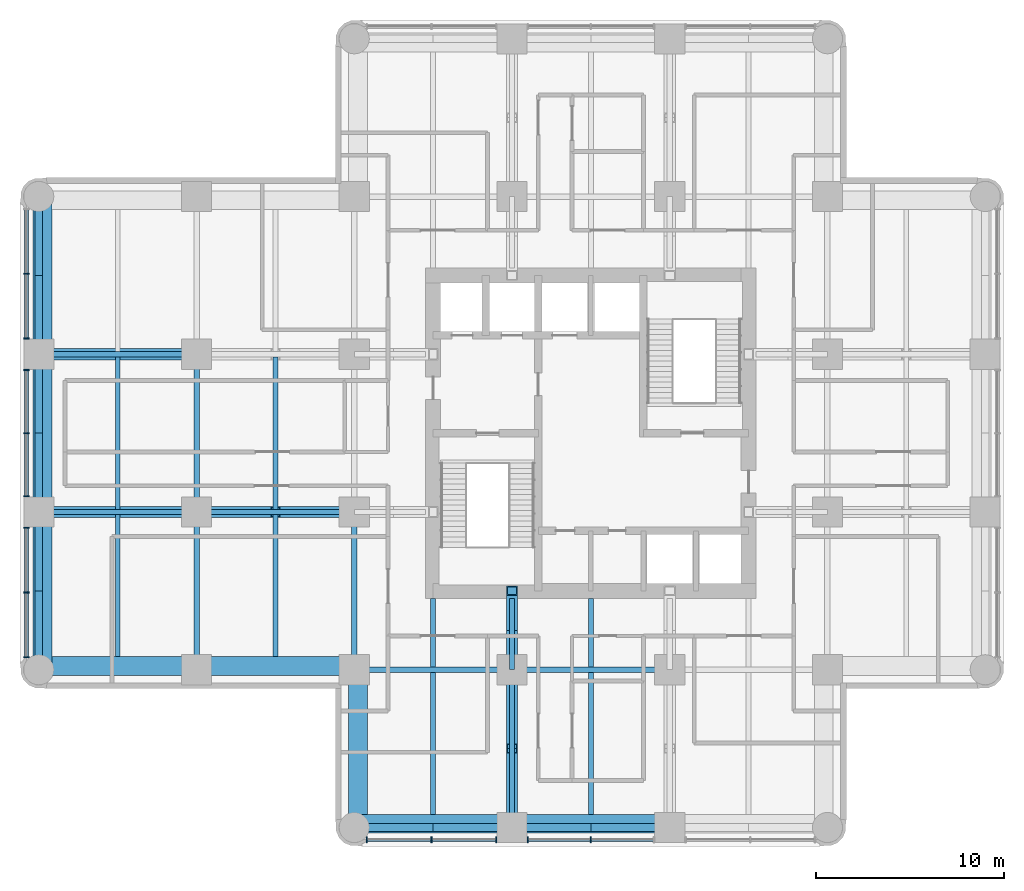
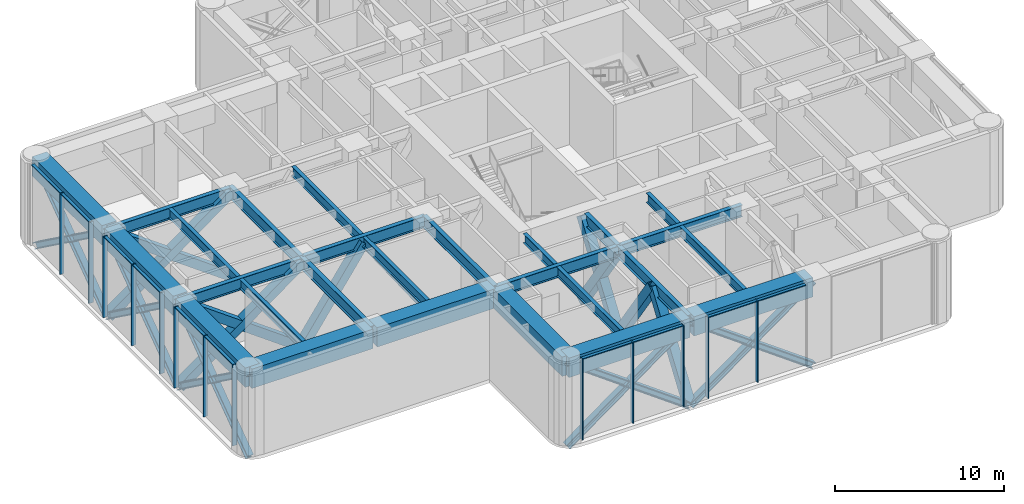
# One storey, part 2 of 12: 43 members, 26 beams, 2 elements without a shape of their own.
"""IFC4 building model written with IfcOpenShell, lengths in metres."""

from ifc_helpers import new_model, si_unit, direction, frame, origin, origin_2d, place, context, subcontext, project, spatial, rectangle, hollow_rectangle, i_section, extrude, material, material_profile, profile_set, type_object, element, aggregate, save


model = new_model("IFC4")

# Units and contexts
model_context = context("Model", 3, precision=1e-05, world=origin(), true_north=direction((0.0, 1.0)))
body_context = subcontext(model_context, "Body", "Model", "MODEL_VIEW")
ifc_project = project(units=[si_unit("LENGTHUNIT", "METRE"), si_unit("AREAUNIT", "SQUARE_METRE"), si_unit("VOLUMEUNIT", "CUBIC_METRE"), si_unit("PLANEANGLEUNIT", "RADIAN"), si_unit("MASSUNIT", "GRAM", prefix="KILO")], contexts=[model_context])

# Site, building, storey
site_placement = place(None, origin())
site = spatial("IfcSite", under=ifc_project, at=site_placement, CompositionType="ELEMENT")
building_placement = place(site_placement, origin())
building = spatial("IfcBuilding", under=site, at=building_placement, Name="Torre Alcanfor", CompositionType="ELEMENT")
storey_placement = place(building_placement, frame((0.0, 0.0, 248.10009765625)))
storey = spatial("IfcBuildingStorey", under=building, at=storey_placement, Name="L65", CompositionType="ELEMENT", Elevation=248.10009765625)

# Members
ifc_material_1 = material(Name="Steel ASTM A992 Grade 50", Category="steel")
ifc_material_profile_1 = material_profile(ifc_material_1, i_section(OverallWidth=0.411376953125, OverallDepth=0.434326171875, WebThickness=0.035888671875, FlangeThickness=0.057373046875, at=origin_2d()), Name="W14x311")
ifc_profile_set_1 = profile_set([ifc_material_profile_1], Name="Steel ASTM A992 Grade 50")
member_type_1 = type_object("IfcMemberType", Name="Belt truss diagonal W14x311", PredefinedType="BRACE", material=ifc_profile_set_1)
for number, where, z_axis, x_axis, name in (
    (1, (16.800048828125, 8.39990234375, -0.650146484375), (0.809144712888, 0.0, 0.587609422665), (0.0, 1.0, 0.0), "Belt truss L65 S arm panel 1 diagonal A"),
    (2, (25.199951171875, 8.39990234375, -0.650146484375), (-0.809144712888, 0.0, 0.587609422665), (0.0, -1.0, 0.0), "Belt truss L65 S arm panel 1 diagonal B"),
):
    element("IfcMember", number, at=place(storey_placement, frame(where, z_axis=z_axis, x_axis=x_axis)), inside=storey, type_object=member_type_1, Name=name, PredefinedType="BRACE", context=body_context, shape_type="SweptSolid", body=[
        extrude(i_section(OverallWidth=0.411376953125, OverallDepth=0.434326171875, WebThickness=0.035888671875, FlangeThickness=0.057373046875, at=origin_2d()), origin(), (0.0, 0.0, 1.0), 10.381103515625),
    ])
for number, where, z_axis, x_axis, name in (
    (3, (25.199951171875, 8.39990234375, -0.650146484375), (0.809152832909, 0.0, 0.587598241144), (0.0, 1.0, 0.0), "Belt truss L65 S arm panel 2 diagonal A"),
    (4, (33.60009765625, 8.39990234375, -0.650146484375), (-0.809152832909, 0.0, 0.587598241144), (0.0, -1.0, 0.0), "Belt truss L65 S arm panel 2 diagonal B"),
):
    element("IfcMember", number, at=place(storey_placement, frame(where, z_axis=z_axis, x_axis=x_axis)), inside=storey, type_object=member_type_1, Name=name, PredefinedType="BRACE", context=body_context, shape_type="SweptSolid", body=[
        extrude(i_section(OverallWidth=0.411376953125, OverallDepth=0.434326171875, WebThickness=0.035888671875, FlangeThickness=0.057373046875, at=origin_2d()), origin(), (0.0, 0.0, 1.0), 10.38134765625),
    ])
for number, where, z_axis, x_axis, name in (
    (5, (0.0, 16.800048828125, -0.650146484375), (0.0, 0.809144712888, 0.587609422665), (-1.0, 0.0, 0.0), "Belt truss L65 W arm panel 1 diagonal A"),
    (6, (0.0, 25.199951171875, -0.650146484375), (0.0, -0.809144712888, 0.587609422665), (1.0, 0.0, 0.0), "Belt truss L65 W arm panel 1 diagonal B"),
):
    element("IfcMember", number, at=place(storey_placement, frame(where, z_axis=z_axis, x_axis=x_axis)), inside=storey, type_object=member_type_1, Name=name, PredefinedType="BRACE", context=body_context, shape_type="SweptSolid", body=[
        extrude(i_section(OverallWidth=0.411376953125, OverallDepth=0.434326171875, WebThickness=0.035888671875, FlangeThickness=0.057373046875, at=origin_2d()), origin(), (0.0, 0.0, 1.0), 10.381103515625),
    ])
for number, where, z_axis, x_axis, name in (
    (7, (0.0, 25.199951171875, -0.650146484375), (0.0, 0.809152832909, 0.587598241144), (-1.0, 0.0, 0.0), "Belt truss L65 W arm panel 2 diagonal A"),
    (8, (0.0, 33.60009765625, -0.650146484375), (0.0, -0.809152832909, 0.587598241144), (1.0, 0.0, 0.0), "Belt truss L65 W arm panel 2 diagonal B"),
):
    element("IfcMember", number, at=place(storey_placement, frame(where, z_axis=z_axis, x_axis=x_axis)), inside=storey, type_object=member_type_1, Name=name, PredefinedType="BRACE", context=body_context, shape_type="SweptSolid", body=[
        extrude(i_section(OverallWidth=0.411376953125, OverallDepth=0.434326171875, WebThickness=0.035888671875, FlangeThickness=0.057373046875, at=origin_2d()), origin(), (0.0, 0.0, 1.0), 10.38134765625),
    ])
for number, where, z_axis, x_axis, name in (
    (9, (0.0, 33.60009765625, -0.650146484375), (0.0, 0.809144712888, 0.587609422665), (-1.0, 0.0, 0.0), "Belt truss L65 W arm panel 3 diagonal A"),
    (10, (0.0, 42.0, -0.650146484375), (0.0, -0.809144712888, 0.587609422665), (1.0, 0.0, 0.0), "Belt truss L65 W arm panel 3 diagonal B"),
):
    element("IfcMember", number, at=place(storey_placement, frame(where, z_axis=z_axis, x_axis=x_axis)), inside=storey, type_object=member_type_1, Name=name, PredefinedType="BRACE", context=body_context, shape_type="SweptSolid", body=[
        extrude(i_section(OverallWidth=0.411376953125, OverallDepth=0.434326171875, WebThickness=0.035888671875, FlangeThickness=0.057373046875, at=origin_2d()), origin(), (0.0, 0.0, 1.0), 10.381103515625),
    ])

# Curtain wall, members
ifc_material_2 = material(Name="Aluminium and glass", Category="aluminium")
curtain_wall_type = type_object("IfcCurtainWallType", Name="CW-D plant floor louvre screen", PredefinedType="NOTDEFINED", material=ifc_material_2)
curtain_wall_1_placement = place(storey_placement, origin())
curtain_wall_1 = element("IfcCurtainWall", 11, at=curtain_wall_1_placement, inside=storey, type_object=curtain_wall_type, Name="Curtain wall CW-D L65 2", PredefinedType="NOTDEFINED")
ifc_material_3 = material(Name="Extruded aluminium", Category="aluminium")
ifc_material_profile_2 = material_profile(ifc_material_3, rectangle(XDim=0.300048828125, YDim=0.06494140625, at=origin_2d()), Name="CW-D mullion 65x300")
ifc_profile_set_2 = profile_set([ifc_material_profile_2], Name="Extruded aluminium")
member_type_2 = type_object("IfcMemberType", Name="CW-D mullion 65x300", PredefinedType="MULLION", material=ifc_profile_set_2)
member_1_placement = place(storey_placement, frame((-0.64990234375, 37.88720703125, 0.0), z_axis=(0.0, 0.0, 1.0), x_axis=(1.0, 0.0, 0.0)))
member_1 = element("IfcMember", 12, at=member_1_placement, type_object=member_type_2, Name="CW-D mullion 1.2", PredefinedType="MULLION", context=body_context, shape_type="SweptSolid", body=[
    extrude(rectangle(XDim=0.300048828125, YDim=0.06494140625, at=origin_2d()), origin(), (0.0, 0.0, 1.0), 5.849853515625),
])
member_2_placement = place(storey_placement, frame((-0.64990234375, 34.4375, 0.0), z_axis=(0.0, 0.0, 1.0), x_axis=(1.0, 0.0, 0.0)))
member_2 = element("IfcMember", 13, at=member_2_placement, type_object=member_type_2, Name="CW-D mullion 1.3", PredefinedType="MULLION", context=body_context, shape_type="SweptSolid", body=[
    extrude(rectangle(XDim=0.300048828125, YDim=0.06494140625, at=origin_2d()), origin(), (0.0, 0.0, 1.0), 5.849853515625),
])
member_3_placement = place(storey_placement, frame((-0.64990234375, 32.762451171875, 0.0), z_axis=(0.0, 0.0, 1.0), x_axis=(1.0, 0.0, 0.0)))
member_3 = element("IfcMember", 14, at=member_3_placement, type_object=member_type_2, Name="CW-D mullion 2.1", PredefinedType="MULLION", context=body_context, shape_type="SweptSolid", body=[
    extrude(rectangle(XDim=0.300048828125, YDim=0.06494140625, at=origin_2d()), origin(), (0.0, 0.0, 1.0), 5.849853515625),
])
member_4_placement = place(storey_placement, frame((-0.64990234375, 29.39990234375, 0.0), z_axis=(0.0, 0.0, 1.0), x_axis=(1.0, 0.0, 0.0)))
member_4 = element("IfcMember", 15, at=member_4_placement, type_object=member_type_2, Name="CW-D mullion 2.2", PredefinedType="MULLION", context=body_context, shape_type="SweptSolid", body=[
    extrude(rectangle(XDim=0.300048828125, YDim=0.06494140625, at=origin_2d()), origin(), (0.0, 0.0, 1.0), 5.849853515625),
])
member_5_placement = place(storey_placement, frame((-0.64990234375, 26.03759765625, 0.0), z_axis=(0.0, 0.0, 1.0), x_axis=(1.0, 0.0, 0.0)))
member_5 = element("IfcMember", 16, at=member_5_placement, type_object=member_type_2, Name="CW-D mullion 2.3", PredefinedType="MULLION", context=body_context, shape_type="SweptSolid", body=[
    extrude(rectangle(XDim=0.300048828125, YDim=0.06494140625, at=origin_2d()), origin(), (0.0, 0.0, 1.0), 5.849853515625),
])
member_6_placement = place(storey_placement, frame((-0.64990234375, 24.362548828125, 0.0), z_axis=(0.0, 0.0, 1.0), x_axis=(1.0, 0.0, 0.0)))
member_6 = element("IfcMember", 17, at=member_6_placement, type_object=member_type_2, Name="CW-D mullion 3.1", PredefinedType="MULLION", context=body_context, shape_type="SweptSolid", body=[
    extrude(rectangle(XDim=0.300048828125, YDim=0.06494140625, at=origin_2d()), origin(), (0.0, 0.0, 1.0), 5.849853515625),
])
member_7_placement = place(storey_placement, frame((-0.64990234375, 20.912841796875, 0.0), z_axis=(0.0, 0.0, 1.0), x_axis=(1.0, 0.0, 0.0)))
member_7 = element("IfcMember", 18, at=member_7_placement, type_object=member_type_2, Name="CW-D mullion 3.2", PredefinedType="MULLION", context=body_context, shape_type="SweptSolid", body=[
    extrude(rectangle(XDim=0.300048828125, YDim=0.06494140625, at=origin_2d()), origin(), (0.0, 0.0, 1.0), 5.849853515625),
])
member_8_placement = place(storey_placement, frame((-0.64990234375, 17.46337890625, 0.0), z_axis=(0.0, 0.0, 1.0), x_axis=(1.0, 0.0, 0.0)))
member_8 = element("IfcMember", 19, at=member_8_placement, type_object=member_type_2, Name="CW-D mullion 3.3", PredefinedType="MULLION", context=body_context, shape_type="SweptSolid", body=[
    extrude(rectangle(XDim=0.300048828125, YDim=0.06494140625, at=origin_2d()), origin(), (0.0, 0.0, 1.0), 5.849853515625),
])

curtain_wall_2_placement = place(storey_placement, origin())
curtain_wall_2 = element("IfcCurtainWall", 20, at=curtain_wall_2_placement, inside=storey, type_object=curtain_wall_type, Name="Curtain wall CW-D L65 5", PredefinedType="NOTDEFINED")
member_9_placement = place(storey_placement, frame((17.46337890625, 7.75, 0.0), z_axis=(0.0, 0.0, 1.0), x_axis=(0.0, 1.0, 0.0)))
member_9 = element("IfcMember", 21, at=member_9_placement, type_object=member_type_2, Name="CW-D mullion 1.1", PredefinedType="MULLION", context=body_context, shape_type="SweptSolid", body=[
    extrude(rectangle(XDim=0.300048828125, YDim=0.06494140625, at=origin_2d()), origin(), (0.0, 0.0, 1.0), 5.849853515625),
])
member_10_placement = place(storey_placement, frame((20.912841796875, 7.75, 0.0), z_axis=(0.0, 0.0, 1.0), x_axis=(0.0, 1.0, 0.0)))
member_10 = element("IfcMember", 22, at=member_10_placement, type_object=member_type_2, Name="CW-D mullion 1.2", PredefinedType="MULLION", context=body_context, shape_type="SweptSolid", body=[
    extrude(rectangle(XDim=0.300048828125, YDim=0.06494140625, at=origin_2d()), origin(), (0.0, 0.0, 1.0), 5.849853515625),
])
member_11_placement = place(storey_placement, frame((24.362548828125, 7.75, 0.0), z_axis=(0.0, 0.0, 1.0), x_axis=(0.0, 1.0, 0.0)))
member_11 = element("IfcMember", 23, at=member_11_placement, type_object=member_type_2, Name="CW-D mullion 1.3", PredefinedType="MULLION", context=body_context, shape_type="SweptSolid", body=[
    extrude(rectangle(XDim=0.300048828125, YDim=0.06494140625, at=origin_2d()), origin(), (0.0, 0.0, 1.0), 5.849853515625),
])
member_12_placement = place(storey_placement, frame((26.03759765625, 7.75, 0.0), z_axis=(0.0, 0.0, 1.0), x_axis=(0.0, 1.0, 0.0)))
member_12 = element("IfcMember", 24, at=member_12_placement, type_object=member_type_2, Name="CW-D mullion 2.1", PredefinedType="MULLION", context=body_context, shape_type="SweptSolid", body=[
    extrude(rectangle(XDim=0.300048828125, YDim=0.06494140625, at=origin_2d()), origin(), (0.0, 0.0, 1.0), 5.849853515625),
])
member_13_placement = place(storey_placement, frame((29.39990234375, 7.75, 0.0), z_axis=(0.0, 0.0, 1.0), x_axis=(0.0, 1.0, 0.0)))
member_13 = element("IfcMember", 25, at=member_13_placement, type_object=member_type_2, Name="CW-D mullion 2.2", PredefinedType="MULLION", context=body_context, shape_type="SweptSolid", body=[
    extrude(rectangle(XDim=0.300048828125, YDim=0.06494140625, at=origin_2d()), origin(), (0.0, 0.0, 1.0), 5.849853515625),
])

# Member
ifc_material_4 = material(Name="Extruded aluminium", Category="aluminium")
ifc_material_profile_3 = material_profile(ifc_material_4, rectangle(XDim=0.199951171875, YDim=0.06494140625, at=origin_2d()), Name="CW-D transom 200x65")
ifc_profile_set_3 = profile_set([ifc_material_profile_3], Name="Extruded aluminium")
member_type_3 = type_object("IfcMemberType", Name="CW-D transom 65x200", PredefinedType="USERDEFINED", material=ifc_profile_set_3)
member_14_placement = place(storey_placement, frame((-0.64990234375, 41.30419921875, 5.8173828125), z_axis=(0.0, -1.0, 0.0), x_axis=(1.0, 0.0, 0.0)))
member_14 = element("IfcMember", 26, at=member_14_placement, type_object=member_type_3, Name="CW-D transom 1.1.2", ObjectType="TRANSOM", PredefinedType="USERDEFINED", context=body_context, shape_type="SweptSolid", body=[
    extrude(rectangle(XDim=0.199951171875, YDim=0.06494140625, at=origin_2d()), origin(), (0.0, 0.0, 1.0), 3.384521484375),
])

member_15_placement = place(storey_placement, frame((-0.64990234375, 37.8544921875, 5.8173828125), z_axis=(0.0, -1.0, 0.0), x_axis=(1.0, 0.0, 0.0)))
member_15 = element("IfcMember", 27, at=member_15_placement, type_object=member_type_3, Name="CW-D transom 1.2.2", ObjectType="TRANSOM", PredefinedType="USERDEFINED", context=body_context, shape_type="SweptSolid", body=[
    extrude(rectangle(XDim=0.199951171875, YDim=0.06494140625, at=origin_2d()), origin(), (0.0, 0.0, 1.0), 3.384521484375),
])

member_16_placement = place(storey_placement, frame((-0.64990234375, 32.72998046875, 5.8173828125), z_axis=(0.0, -1.0, 0.0), x_axis=(1.0, 0.0, 0.0)))
member_16 = element("IfcMember", 28, at=member_16_placement, type_object=member_type_3, Name="CW-D transom 2.1.2", ObjectType="TRANSOM", PredefinedType="USERDEFINED", context=body_context, shape_type="SweptSolid", body=[
    extrude(rectangle(XDim=0.199951171875, YDim=0.06494140625, at=origin_2d()), origin(), (0.0, 0.0, 1.0), 3.29736328125),
])

member_17_placement = place(storey_placement, frame((-0.64990234375, 29.367431640625, 5.8173828125), z_axis=(0.0, -1.0, 0.0), x_axis=(1.0, 0.0, 0.0)))
member_17 = element("IfcMember", 29, at=member_17_placement, type_object=member_type_3, Name="CW-D transom 2.2.2", ObjectType="TRANSOM", PredefinedType="USERDEFINED", context=body_context, shape_type="SweptSolid", body=[
    extrude(rectangle(XDim=0.199951171875, YDim=0.06494140625, at=origin_2d()), origin(), (0.0, 0.0, 1.0), 3.29736328125),
])

member_18_placement = place(storey_placement, frame((-0.64990234375, 24.330078125, 5.8173828125), z_axis=(0.0, -1.0, 0.0), x_axis=(1.0, 0.0, 0.0)))
member_18 = element("IfcMember", 30, at=member_18_placement, type_object=member_type_3, Name="CW-D transom 3.1.2", ObjectType="TRANSOM", PredefinedType="USERDEFINED", context=body_context, shape_type="SweptSolid", body=[
    extrude(rectangle(XDim=0.199951171875, YDim=0.06494140625, at=origin_2d()), origin(), (0.0, 0.0, 1.0), 3.384765625),
])

member_19_placement = place(storey_placement, frame((-0.64990234375, 20.88037109375, 5.8173828125), z_axis=(0.0, -1.0, 0.0), x_axis=(1.0, 0.0, 0.0)))
member_19 = element("IfcMember", 31, at=member_19_placement, type_object=member_type_3, Name="CW-D transom 3.2.2", ObjectType="TRANSOM", PredefinedType="USERDEFINED", context=body_context, shape_type="SweptSolid", body=[
    extrude(rectangle(XDim=0.199951171875, YDim=0.06494140625, at=origin_2d()), origin(), (0.0, 0.0, 1.0), 3.384521484375),
])

aggregate(curtain_wall_1, [member_1, member_2, member_14, member_15, member_3, member_4, member_5, member_16, member_17, member_6, member_7, member_8, member_18, member_19])

member_20_placement = place(storey_placement, frame((17.495849609375, 7.75, 5.8173828125), z_axis=(1.0, 0.0, 0.0), x_axis=(0.0, 1.0, 0.0)))
member_20 = element("IfcMember", 32, at=member_20_placement, type_object=member_type_3, Name="CW-D transom 1.1.2", ObjectType="TRANSOM", PredefinedType="USERDEFINED", context=body_context, shape_type="SweptSolid", body=[
    extrude(rectangle(XDim=0.199951171875, YDim=0.06494140625, at=origin_2d()), origin(), (0.0, 0.0, 1.0), 3.384521484375),
])

member_21_placement = place(storey_placement, frame((20.9453125, 7.75, 5.8173828125), z_axis=(1.0, 0.0, 0.0), x_axis=(0.0, 1.0, 0.0)))
member_21 = element("IfcMember", 33, at=member_21_placement, type_object=member_type_3, Name="CW-D transom 1.2.2", ObjectType="TRANSOM", PredefinedType="USERDEFINED", context=body_context, shape_type="SweptSolid", body=[
    extrude(rectangle(XDim=0.199951171875, YDim=0.06494140625, at=origin_2d()), origin(), (0.0, 0.0, 1.0), 3.384765625),
])

member_22_placement = place(storey_placement, frame((26.070068359375, 7.75, 5.8173828125), z_axis=(1.0, 0.0, 0.0), x_axis=(0.0, 1.0, 0.0)))
member_22 = element("IfcMember", 34, at=member_22_placement, type_object=member_type_3, Name="CW-D transom 2.1.2", ObjectType="TRANSOM", PredefinedType="USERDEFINED", context=body_context, shape_type="SweptSolid", body=[
    extrude(rectangle(XDim=0.199951171875, YDim=0.06494140625, at=origin_2d()), origin(), (0.0, 0.0, 1.0), 3.29736328125),
])

member_23_placement = place(storey_placement, frame((29.4326171875, 7.75, 5.8173828125), z_axis=(1.0, 0.0, 0.0), x_axis=(0.0, 1.0, 0.0)))
member_23 = element("IfcMember", 35, at=member_23_placement, type_object=member_type_3, Name="CW-D transom 2.2.2", ObjectType="TRANSOM", PredefinedType="USERDEFINED", context=body_context, shape_type="SweptSolid", body=[
    extrude(rectangle(XDim=0.199951171875, YDim=0.06494140625, at=origin_2d()), origin(), (0.0, 0.0, 1.0), 3.29736328125),
])

aggregate(curtain_wall_2, [member_9, member_10, member_11, member_20, member_21, member_12, member_13, member_22, member_23])

# Beams
ifc_material_5 = material(Name="Steel ASTM A992 Grade 50", Category="steel")
ifc_material_profile_4 = material_profile(ifc_material_5, i_section(OverallWidth=0.2919921875, OverallDepth=0.8408203125, WebThickness=0.0146484375, FlangeThickness=0.021728515625, at=origin_2d()), Name="W33x130")
ifc_profile_set_4 = profile_set([ifc_material_profile_4], Name="Steel ASTM A992 Grade 50")
beam_type_1 = type_object("IfcBeamType", Name="Girder W33x130", PredefinedType="BEAM", material=ifc_profile_set_4)
beam_1_placement = place(storey_placement, frame((16.800048828125, 16.800048828125, 5.429443359375), z_axis=(1.0, 0.0, 0.0), x_axis=(0.0, 1.0, 0.0)))
element("IfcBeam", 36, at=beam_1_placement, inside=storey, type_object=beam_type_1, Name="Beam 3E-4E under L66", PredefinedType="BEAM", context=body_context, shape_type="SweptSolid", body=[
    extrude(i_section(OverallWidth=0.2919921875, OverallDepth=0.8408203125, WebThickness=0.0146484375, FlangeThickness=0.021728515625, at=origin_2d()), origin(), (0.0, 0.0, 1.0), 8.39990234375),
])
beam_2_placement = place(storey_placement, frame((25.199951171875, 16.800048828125, 5.429443359375), z_axis=(1.0, 0.0, 0.0), x_axis=(0.0, 1.0, 0.0)))
element("IfcBeam", 37, at=beam_2_placement, inside=storey, type_object=beam_type_1, Name="Beam 4E-5E under L66", PredefinedType="BEAM", context=body_context, shape_type="SweptSolid", body=[
    extrude(i_section(OverallWidth=0.2919921875, OverallDepth=0.8408203125, WebThickness=0.0146484375, FlangeThickness=0.021728515625, at=origin_2d()), origin(), (0.0, 0.0, 1.0), 8.400146484375),
])
beam_3_placement = place(storey_placement, frame((0.0, 25.199951171875, 5.32958984375), z_axis=(1.0, 0.0, 0.0), x_axis=(0.0, 1.0, 0.0)))
element("IfcBeam", 38, at=beam_3_placement, inside=storey, type_object=beam_type_1, Name="Beam 1F-2F under L66", PredefinedType="BEAM", context=body_context, shape_type="SweptSolid", body=[
    extrude(i_section(OverallWidth=0.2919921875, OverallDepth=0.8408203125, WebThickness=0.0146484375, FlangeThickness=0.021728515625, at=origin_2d()), origin(), (0.0, 0.0, 1.0), 8.39990234375),
])
beam_4_placement = place(storey_placement, frame((8.39990234375, 25.199951171875, 5.429443359375), z_axis=(1.0, 0.0, 0.0), x_axis=(0.0, 1.0, 0.0)))
element("IfcBeam", 39, at=beam_4_placement, inside=storey, type_object=beam_type_1, Name="Beam 2F-3F under L66", PredefinedType="BEAM", context=body_context, shape_type="SweptSolid", body=[
    extrude(i_section(OverallWidth=0.2919921875, OverallDepth=0.8408203125, WebThickness=0.0146484375, FlangeThickness=0.021728515625, at=origin_2d()), origin(), (0.0, 0.0, 1.0), 8.400146484375),
])
for number, where, z_axis, x_axis, name in (
    (40, (0.0, 33.60009765625, 5.32958984375), (1.0, 0.0, 0.0), (0.0, 1.0, 0.0), "Beam 1G-2G under L66"),
    (41, (8.39990234375, 16.800048828125, 5.429443359375), (0.0, 1.0, 0.0), (-1.0, 0.0, 0.0), "Beam 2E-2F under L66"),
):
    element("IfcBeam", number, at=place(storey_placement, frame(where, z_axis=z_axis, x_axis=x_axis)), inside=storey, type_object=beam_type_1, Name=name, PredefinedType="BEAM", context=body_context, shape_type="SweptSolid", body=[
        extrude(i_section(OverallWidth=0.2919921875, OverallDepth=0.8408203125, WebThickness=0.0146484375, FlangeThickness=0.021728515625, at=origin_2d()), origin(), (0.0, 0.0, 1.0), 8.39990234375),
    ])
beam_5_placement = place(storey_placement, frame((8.39990234375, 25.199951171875, 5.429443359375), z_axis=(0.0, 1.0, 0.0), x_axis=(-1.0, 0.0, 0.0)))
element("IfcBeam", 42, at=beam_5_placement, inside=storey, type_object=beam_type_1, Name="Beam 2F-2G under L66", PredefinedType="BEAM", context=body_context, shape_type="SweptSolid", body=[
    extrude(i_section(OverallWidth=0.2919921875, OverallDepth=0.8408203125, WebThickness=0.0146484375, FlangeThickness=0.021728515625, at=origin_2d()), origin(), (0.0, 0.0, 1.0), 8.400146484375),
])
beam_6_placement = place(storey_placement, frame((16.800048828125, 16.800048828125, 5.429443359375), z_axis=(0.0, 1.0, 0.0), x_axis=(-1.0, 0.0, 0.0)))
element("IfcBeam", 43, at=beam_6_placement, inside=storey, type_object=beam_type_1, Name="Beam 3E-3F under L66", PredefinedType="BEAM", context=body_context, shape_type="SweptSolid", body=[
    extrude(i_section(OverallWidth=0.2919921875, OverallDepth=0.8408203125, WebThickness=0.0146484375, FlangeThickness=0.021728515625, at=origin_2d()), origin(), (0.0, 0.0, 1.0), 8.39990234375),
])
beam_7_placement = place(storey_placement, frame((25.199951171875, 8.39990234375, 5.429443359375), z_axis=(0.0, 1.0, 0.0), x_axis=(-1.0, 0.0, 0.0)))
element("IfcBeam", 44, at=beam_7_placement, inside=storey, type_object=beam_type_1, Name="Beam 4D-4E under L66", PredefinedType="BEAM", context=body_context, shape_type="SweptSolid", body=[
    extrude(i_section(OverallWidth=0.2919921875, OverallDepth=0.8408203125, WebThickness=0.0146484375, FlangeThickness=0.021728515625, at=origin_2d()), origin(), (0.0, 0.0, 1.0), 8.400146484375),
])
ifc_material_6 = material(Name="Steel ASTM A992 Grade 50", Category="steel")
ifc_material_profile_5 = material_profile(ifc_material_6, i_section(OverallWidth=0.2919921875, OverallDepth=0.8408203125, WebThickness=0.0146484375, FlangeThickness=0.021728515625, at=origin_2d()), Name="W33x130")
ifc_profile_set_5 = profile_set([ifc_material_profile_5], Name="Steel ASTM A992 Grade 50")
beam_type_2 = type_object("IfcBeamType", Name="Girder, part bay W33x130", PredefinedType="BEAM", material=ifc_profile_set_5)
beam_8_placement = place(storey_placement, frame((25.199951171875, 16.800048828125, 5.429443359375), z_axis=(0.0, 1.0, 0.0), x_axis=(-1.0, 0.0, 0.0)))
element("IfcBeam", 45, at=beam_8_placement, inside=storey, type_object=beam_type_2, Name="Beam 4E-420_6 under L66", PredefinedType="BEAM", context=body_context, shape_type="SweptSolid", body=[
    extrude(i_section(OverallWidth=0.2919921875, OverallDepth=0.8408203125, WebThickness=0.0146484375, FlangeThickness=0.021728515625, at=origin_2d()), origin(), (0.0, 0.0, 1.0), 3.800048828125),
])

# Members
ifc_material_7 = material(Name="Steel ASTM A572 Grade 50 plate", Category="steel")
ifc_material_profile_6 = material_profile(ifc_material_7, hollow_rectangle(XDim=0.60009765625, YDim=0.60009765625, WallThickness=0.050048828125, at=origin_2d()), Name="BOX 600x600x50")
ifc_profile_set_6 = profile_set([ifc_material_profile_6], Name="Steel ASTM A572 Grade 50 plate")
member_type_4 = type_object("IfcMemberType", Name="Outrigger truss diagonal BOx600x600x50", PredefinedType="BRACE", material=ifc_profile_set_6)
for number, where, z_axis, x_axis, name in (
    (46, (25.199951171875, 21.0, -0.650146484375), (0.0, -0.567091101321, 0.823655075139), (1.0, 0.0, 0.0), "Outrigger truss L65 S arm grid 25.2 panel 1 diagonal A"),
    (47, (25.199951171875, 16.800048828125, -0.650146484375), (0.0, 0.567091101321, 0.823655075139), (-1.0, 0.0, 0.0), "Outrigger truss L65 S arm grid 25.2 panel 1 diagonal B"),
    (48, (25.199951171875, 16.800048828125, -0.650146484375), (0.0, -0.567091101321, 0.823655075139), (1.0, 0.0, 0.0), "Outrigger truss L65 S arm grid 25.2 panel 2 diagonal A"),
    (49, (25.199951171875, 8.39990234375, -0.650146484375), (0.0, 0.567113464175, 0.823639677742), (-1.0, 0.0, 0.0), "Outrigger truss L65 S arm grid 25.2 panel 2 diagonal B"),
    (50, (16.800048828125, 25.199951171875, -0.650146484375), (-0.567091101321, 0.0, 0.823655075139), (0.0, -1.0, 0.0), "Outrigger truss L65 W arm grid 25.2 panel 2 diagonal A"),
    (51, (8.39990234375, 25.199951171875, -0.650146484375), (0.567113464175, 0.0, 0.823639677742), (0.0, 1.0, 0.0), "Outrigger truss L65 W arm grid 25.2 panel 2 diagonal B"),
):
    element("IfcMember", number, at=place(storey_placement, frame(where, z_axis=z_axis, x_axis=x_axis)), inside=storey, type_object=member_type_4, Name=name, PredefinedType="BRACE", context=body_context, shape_type="SweptSolid", body=[
        extrude(hollow_rectangle(XDim=0.60009765625, YDim=0.60009765625, WallThickness=0.050048828125, at=origin_2d()), origin(), (0.0, 0.0, 1.0), 7.40625),
    ])
for number, where, z_axis, x_axis, name in (
    (52, (8.39990234375, 25.199951171875, -0.650146484375), (-0.809144712888, 0.0, 0.587609422665), (0.0, -1.0, 0.0), "Outrigger truss L65 W arm grid 25.2 panel 3 diagonal A"),
    (53, (0.0, 25.199951171875, -0.650146484375), (0.809144712888, 0.0, 0.587609422665), (0.0, 1.0, 0.0), "Outrigger truss L65 W arm grid 25.2 panel 3 diagonal B"),
    (54, (8.39990234375, 33.60009765625, -0.650146484375), (-0.809144712888, 0.0, 0.587609422665), (0.0, -1.0, 0.0), "Outrigger truss L65 W arm grid 33.6 panel 3 diagonal A"),
    (55, (0.0, 33.60009765625, -0.650146484375), (0.809144712888, 0.0, 0.587609422665), (0.0, 1.0, 0.0), "Outrigger truss L65 W arm grid 33.6 panel 3 diagonal B"),
):
    element("IfcMember", number, at=place(storey_placement, frame(where, z_axis=z_axis, x_axis=x_axis)), inside=storey, type_object=member_type_4, Name=name, PredefinedType="BRACE", context=body_context, shape_type="SweptSolid", body=[
        extrude(hollow_rectangle(XDim=0.60009765625, YDim=0.60009765625, WallThickness=0.050048828125, at=origin_2d()), origin(), (0.0, 0.0, 1.0), 10.381103515625),
    ])

# Beams
ifc_material_8 = material(Name="Concrete f'c 70 MPa", Category="concrete")
ifc_material_profile_7 = material_profile(ifc_material_8, rectangle(XDim=1.0, YDim=1.39990234375, at=origin_2d()), Name="1000x1400")
ifc_profile_set_7 = profile_set([ifc_material_profile_7], Name="Concrete f'c 70 MPa")
beam_type_3 = type_object("IfcBeamType", Name="RC perimeter beam 1000x1400", PredefinedType="BEAM", material=ifc_profile_set_7)
beam_9_placement = place(storey_placement, frame((16.800048828125, 8.60009765625, 5.14990234375), z_axis=(1.0, 0.0, 0.0), x_axis=(0.0, 1.0, 0.0)))
element("IfcBeam", 56, at=beam_9_placement, inside=storey, type_object=beam_type_3, Name="Beam 3D-4D under L66", PredefinedType="BEAM", context=body_context, shape_type="SweptSolid", body=[
    extrude(rectangle(XDim=1.0, YDim=1.39990234375, at=origin_2d()), origin(), (0.0, 0.0, 1.0), 8.25390625),
])
beam_10_placement = place(storey_placement, frame((25.345947265625, 8.60009765625, 5.14990234375), z_axis=(1.0, 0.0, 0.0), x_axis=(0.0, 1.0, 0.0)))
element("IfcBeam", 57, at=beam_10_placement, inside=storey, type_object=beam_type_3, Name="Beam 4D-5D under L66", PredefinedType="BEAM", context=body_context, shape_type="SweptSolid", body=[
    extrude(rectangle(XDim=1.0, YDim=1.39990234375, at=origin_2d()), origin(), (0.0, 0.0, 1.0), 8.108154296875),
])
beam_11_placement = place(storey_placement, frame((0.0, 17.0, 5.14990234375), z_axis=(1.0, 0.0, 0.0), x_axis=(0.0, 1.0, 0.0)))
element("IfcBeam", 58, at=beam_11_placement, inside=storey, type_object=beam_type_3, Name="Beam 1E-2E under L66", PredefinedType="BEAM", context=body_context, shape_type="SweptSolid", body=[
    extrude(rectangle(XDim=1.0, YDim=1.39990234375, at=origin_2d()), origin(), (0.0, 0.0, 1.0), 8.25390625),
])
beam_12_placement = place(storey_placement, frame((8.5458984375, 17.0, 5.14990234375), z_axis=(1.0, 0.0, 0.0), x_axis=(0.0, 1.0, 0.0)))
element("IfcBeam", 59, at=beam_12_placement, inside=storey, type_object=beam_type_3, Name="Beam 2E-3E under L66", PredefinedType="BEAM", context=body_context, shape_type="SweptSolid", body=[
    extrude(rectangle(XDim=1.0, YDim=1.39990234375, at=origin_2d()), origin(), (0.0, 0.0, 1.0), 8.108154296875),
])
beam_13_placement = place(storey_placement, frame((0.199951171875, 16.800048828125, 5.14990234375), z_axis=(0.0, 1.0, 0.0), x_axis=(-1.0, 0.0, 0.0)))
element("IfcBeam", 60, at=beam_13_placement, inside=storey, type_object=beam_type_3, Name="Beam 1E-1F under L66", PredefinedType="BEAM", context=body_context, shape_type="SweptSolid", body=[
    extrude(rectangle(XDim=1.0, YDim=1.39990234375, at=origin_2d()), origin(), (0.0, 0.0, 1.0), 8.25390625),
])
beam_14_placement = place(storey_placement, frame((0.199951171875, 25.345947265625, 5.14990234375), z_axis=(0.0, 1.0, 0.0), x_axis=(-1.0, 0.0, 0.0)))
element("IfcBeam", 61, at=beam_14_placement, inside=storey, type_object=beam_type_3, Name="Beam 1F-1G under L66", PredefinedType="BEAM", context=body_context, shape_type="SweptSolid", body=[
    extrude(rectangle(XDim=1.0, YDim=1.39990234375, at=origin_2d()), origin(), (0.0, 0.0, 1.0), 8.108154296875),
])
beam_15_placement = place(storey_placement, frame((0.199951171875, 33.74609375, 5.14990234375), z_axis=(0.0, 1.0, 0.0), x_axis=(-1.0, 0.0, 0.0)))
element("IfcBeam", 62, at=beam_15_placement, inside=storey, type_object=beam_type_3, Name="Beam 1G-1H under L66", PredefinedType="BEAM", context=body_context, shape_type="SweptSolid", body=[
    extrude(rectangle(XDim=1.0, YDim=1.39990234375, at=origin_2d()), origin(), (0.0, 0.0, 1.0), 8.25390625),
])
beam_16_placement = place(storey_placement, frame((17.0, 8.39990234375, 5.14990234375), z_axis=(0.0, 1.0, 0.0), x_axis=(-1.0, 0.0, 0.0)))
element("IfcBeam", 63, at=beam_16_placement, inside=storey, type_object=beam_type_3, Name="Beam 3D-3E under L66", PredefinedType="BEAM", context=body_context, shape_type="SweptSolid", body=[
    extrude(rectangle(XDim=1.0, YDim=1.39990234375, at=origin_2d()), origin(), (0.0, 0.0, 1.0), 8.254150390625),
])
ifc_material_9 = material(Name="Steel ASTM A992 Grade 50", Category="steel")
ifc_material_profile_8 = material_profile(ifc_material_9, i_section(OverallWidth=0.25390625, OverallDepth=0.683349609375, WebThickness=0.012451171875, FlangeThickness=0.01904296875, at=origin_2d()), Name="W27x94")
ifc_profile_set_8 = profile_set([ifc_material_profile_8], Name="Steel ASTM A992 Grade 50")
beam_type_4 = type_object("IfcBeamType", Name="Secondary beam W27x94", PredefinedType="BEAM", material=ifc_profile_set_8)
beam_17_placement = place(storey_placement, frame((4.199951171875, 17.5, 5.408203125), z_axis=(0.0, 1.0, 0.0), x_axis=(-1.0, 0.0, 0.0)))
element("IfcBeam", 64, at=beam_17_placement, inside=storey, type_object=beam_type_4, Name="Beam 4_2E-4_2F under L66", PredefinedType="BEAM", context=body_context, shape_type="SweptSolid", body=[
    extrude(i_section(OverallWidth=0.25390625, OverallDepth=0.683349609375, WebThickness=0.012451171875, FlangeThickness=0.01904296875, at=origin_2d()), origin(), (0.0, 0.0, 1.0), 7.553955078125),
])
beam_18_placement = place(storey_placement, frame((4.199951171875, 25.345947265625, 5.408203125), z_axis=(0.0, 1.0, 0.0), x_axis=(-1.0, 0.0, 0.0)))
element("IfcBeam", 65, at=beam_18_placement, inside=storey, type_object=beam_type_4, Name="Beam 4_2F-4_2G under L66", PredefinedType="BEAM", context=body_context, shape_type="SweptSolid", body=[
    extrude(i_section(OverallWidth=0.25390625, OverallDepth=0.683349609375, WebThickness=0.012451171875, FlangeThickness=0.01904296875, at=origin_2d()), origin(), (0.0, 0.0, 1.0), 8.108154296875),
])
beam_19_placement = place(storey_placement, frame((12.60009765625, 17.5, 5.50830078125), z_axis=(0.0, 1.0, 0.0), x_axis=(-1.0, 0.0, 0.0)))
element("IfcBeam", 66, at=beam_19_placement, inside=storey, type_object=beam_type_4, Name="Beam 12_6E-12_6F under L66", PredefinedType="BEAM", context=body_context, shape_type="SweptSolid", body=[
    extrude(i_section(OverallWidth=0.25390625, OverallDepth=0.683349609375, WebThickness=0.012451171875, FlangeThickness=0.01904296875, at=origin_2d()), origin(), (0.0, 0.0, 1.0), 7.553955078125),
])
beam_20_placement = place(storey_placement, frame((12.60009765625, 25.345947265625, 5.50830078125), z_axis=(0.0, 1.0, 0.0), x_axis=(-1.0, 0.0, 0.0)))
element("IfcBeam", 67, at=beam_20_placement, inside=storey, type_object=beam_type_4, Name="Beam 12_6F-12_6G under L66", PredefinedType="BEAM", context=body_context, shape_type="SweptSolid", body=[
    extrude(i_section(OverallWidth=0.25390625, OverallDepth=0.683349609375, WebThickness=0.012451171875, FlangeThickness=0.01904296875, at=origin_2d()), origin(), (0.0, 0.0, 1.0), 8.108154296875),
])
for number, where, z_axis, x_axis, name in (
    (68, (21.0, 9.10009765625, 5.50830078125), (0.0, 1.0, 0.0), (-1.0, 0.0, 0.0), "Beam 21D-21E under L66"),
    (69, (29.39990234375, 9.10009765625, 5.50830078125), (0.0, 1.0, 0.0), (-1.0, 0.0, 0.0), "Beam 29_4D-29_4E under L66"),
):
    element("IfcBeam", number, at=place(storey_placement, frame(where, z_axis=z_axis, x_axis=x_axis)), inside=storey, type_object=beam_type_4, Name=name, PredefinedType="BEAM", context=body_context, shape_type="SweptSolid", body=[
        extrude(i_section(OverallWidth=0.25390625, OverallDepth=0.683349609375, WebThickness=0.012451171875, FlangeThickness=0.01904296875, at=origin_2d()), origin(), (0.0, 0.0, 1.0), 7.553955078125),
    ])
ifc_material_10 = material(Name="Steel ASTM A992 Grade 50", Category="steel")
ifc_material_profile_9 = material_profile(ifc_material_10, i_section(OverallWidth=0.25390625, OverallDepth=0.683349609375, WebThickness=0.012451171875, FlangeThickness=0.01904296875, at=origin_2d()), Name="W27x94")
ifc_profile_set_9 = profile_set([ifc_material_profile_9], Name="Steel ASTM A992 Grade 50")
beam_type_5 = type_object("IfcBeamType", Name="Secondary beam, part bay W27x94", PredefinedType="BEAM", material=ifc_profile_set_9)
for number, where, z_axis, x_axis, name in (
    (70, (21.0, 16.946044921875, 5.50830078125), (0.0, 1.0, 0.0), (-1.0, 0.0, 0.0), "Beam 21E-2120_6 under L66"),
    (71, (29.39990234375, 16.946044921875, 5.50830078125), (0.0, 1.0, 0.0), (-1.0, 0.0, 0.0), "Beam 29_4E-29_420_6 under L66"),
):
    element("IfcBeam", number, at=place(storey_placement, frame(where, z_axis=z_axis, x_axis=x_axis)), inside=storey, type_object=beam_type_5, Name=name, PredefinedType="BEAM", context=body_context, shape_type="SweptSolid", body=[
        extrude(i_section(OverallWidth=0.25390625, OverallDepth=0.683349609375, WebThickness=0.012451171875, FlangeThickness=0.01904296875, at=origin_2d()), origin(), (0.0, 0.0, 1.0), 3.654052734375),
    ])

save(model, "model.ifc")
